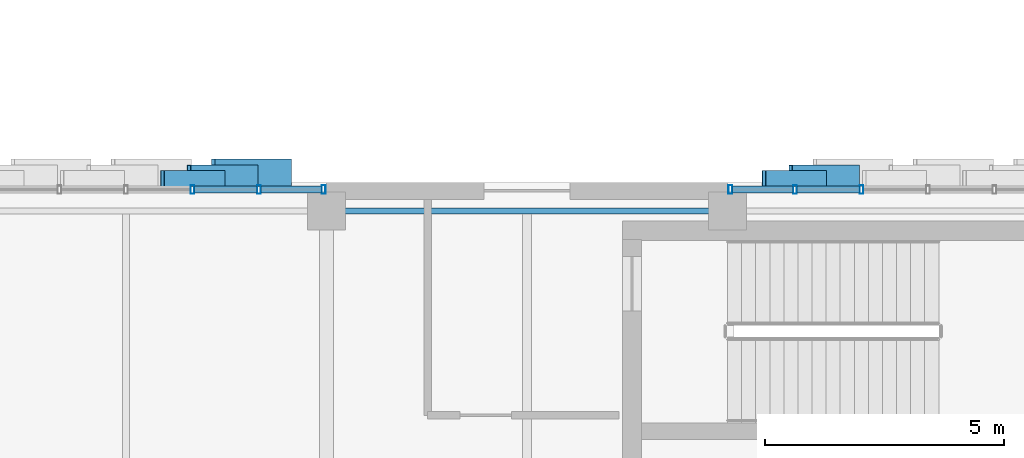
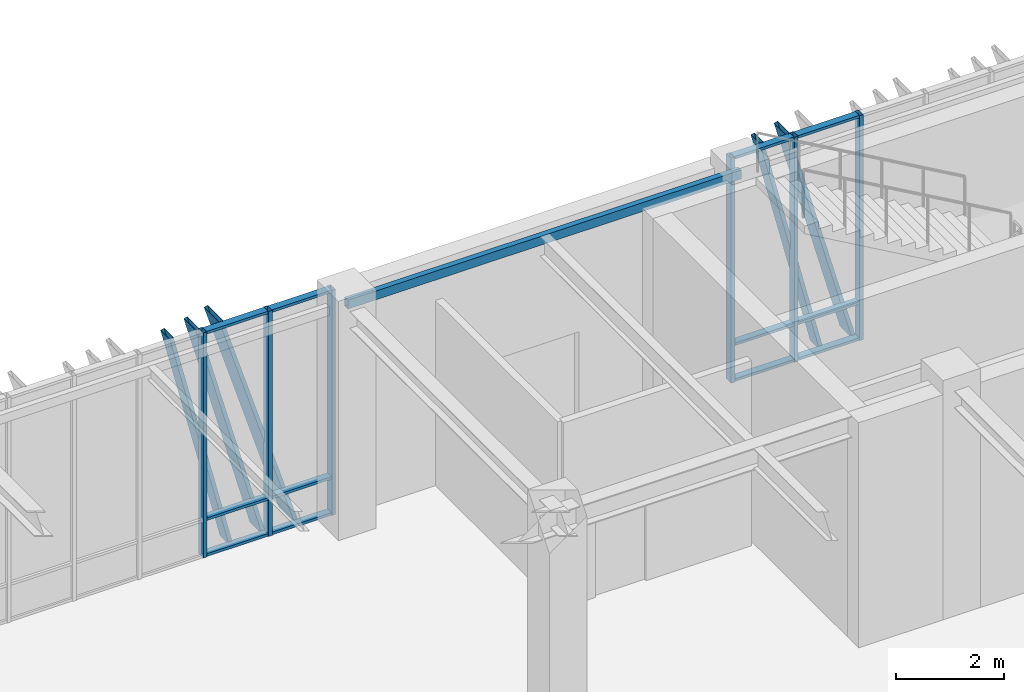
# One storey, part 64 of 122: 23 members, 1 beam, 2 elements without a shape of their own.
"""IFC4 building model written with IfcOpenShell, lengths in metres."""

from ifc_helpers import new_model, si_unit, direction, frame, origin, origin_2d, place, context, subcontext, project, spatial, hollow_rectangle, extrude, material, layer, layer_set, material_profile, profile_set, type_object, element, aggregate, save


model = new_model("IFC4")

# Units and contexts
model_context = context("Model", 3, precision=1e-05, world=origin(), true_north=direction((0.0, 1.0)))
body_context = subcontext(model_context, "Body", "Model", "MODEL_VIEW")
ifc_project = project(units=[si_unit("LENGTHUNIT", "METRE"), si_unit("AREAUNIT", "SQUARE_METRE"), si_unit("VOLUMEUNIT", "CUBIC_METRE"), si_unit("PLANEANGLEUNIT", "RADIAN"), si_unit("MASSUNIT", "GRAM", prefix="KILO")], contexts=[model_context])

# Site, building, storey
site_placement = place(None, origin())
site = spatial("IfcSite", under=ifc_project, at=site_placement, CompositionType="ELEMENT")
building_placement = place(site_placement, origin())
building = spatial("IfcBuilding", under=site, at=building_placement, Name="Zayran Congress Hotel", CompositionType="ELEMENT")
storey_placement = place(building_placement, origin())
storey = spatial("IfcBuildingStorey", under=building, at=storey_placement, Name="L00", CompositionType="ELEMENT", Elevation=0.0)

# Beam
ifc_material_1 = material(Name="Steel S355", Category="steel")
ifc_material_profile_1 = material_profile(ifc_material_1, hollow_rectangle(XDim=0.1201171875, YDim=0.199951171875, WallThickness=0.008056640625, at=origin_2d()), Name="RHS 200x120x8")
ifc_profile_set_1 = profile_set([ifc_material_profile_1], Name="Steel S355")
beam_type = type_object("IfcBeamType", Name="TP-SP-02", PredefinedType="SPANDREL", material=ifc_profile_set_1)
beam_placement = place(storey_placement, frame((75.60009765625, 117.39990234375, 4.97998046875), z_axis=(1.0, 0.0, 0.0), x_axis=(0.0, 1.0, 0.0)))
element("IfcBeam", 1, at=beam_placement, inside=storey, type_object=beam_type, Name="BM-V1-L00-0443", PredefinedType="SPANDREL", context=body_context, shape_type="SweptSolid", body=[
    extrude(hollow_rectangle(XDim=0.1201171875, YDim=0.199951171875, WallThickness=0.008056640625, at=origin_2d()), origin(), (0.0, 0.0, 1.0), 8.39990234375),
])

# Curtain wall, members
ifc_material_2 = material(Name="Anodised aluminium and low-E insulated glass", Category="aluminium")
ifc_layer_1 = layer(ifc_material_2, 0.179931640625)
ifc_layer_set_1 = layer_set([ifc_layer_1], Name="Anodised aluminium and low-E insulated glass")
curtain_wall_type_1 = type_object("IfcCurtainWallType", Name="CW-V1N-L00-CW-22-8360-5080", PredefinedType="USERDEFINED", material=ifc_layer_set_1)
curtain_wall_1_placement = place(storey_placement, origin())
curtain_wall_1 = element("IfcCurtainWall", 2, at=curtain_wall_1_placement, inside=storey, type_object=curtain_wall_type_1, Name="CW-V1N-L00-7", ObjectType="CURTAIN WALL", PredefinedType="USERDEFINED")
ifc_material_3 = material(Name="Anodised aluminium framing", Category="aluminium")
ifc_material_profile_2 = material_profile(ifc_material_3, hollow_rectangle(XDim=0.080078125, YDim=0.179931640625, WallThickness=0.0048828125, at=origin_2d()), Name="RHS 180x80x5")
ifc_profile_set_2 = profile_set([ifc_material_profile_2], Name="Anodised aluminium framing")
member_type_1 = type_object("IfcMemberType", Name="TP-CWM-01", PredefinedType="MULLION", material=ifc_profile_set_2)
member_1_placement = place(storey_placement, frame((75.5400390625, 117.85009765625, 0.0), z_axis=(0.0, 0.0, 1.0), x_axis=(1.0, 0.0, 0.0)))
member_1 = element("IfcMember", 3, at=member_1_placement, type_object=member_type_1, Name="CW-V1N-L00-7-M00", PredefinedType="MULLION", context=body_context, shape_type="SweptSolid", body=[
    extrude(hollow_rectangle(XDim=0.080078125, YDim=0.179931640625, WallThickness=0.0048828125, at=origin_2d()), origin(), (0.0, 0.0, 1.0), 5.080078125),
])
member_2_placement = place(storey_placement, frame((74.186767578125, 117.85009765625, 0.0), z_axis=(0.0, 0.0, 1.0), x_axis=(1.0, 0.0, 0.0)))
member_2 = element("IfcMember", 4, at=member_2_placement, type_object=member_type_1, Name="CW-V1N-L00-7-M01", PredefinedType="MULLION", context=body_context, shape_type="SweptSolid", body=[
    extrude(hollow_rectangle(XDim=0.080078125, YDim=0.179931640625, WallThickness=0.0048828125, at=origin_2d()), origin(), (0.0, 0.0, 1.0), 5.080078125),
])
member_3_placement = place(storey_placement, frame((72.793212890625, 117.85009765625, 0.0), z_axis=(0.0, 0.0, 1.0), x_axis=(1.0, 0.0, 0.0)))
member_3 = element("IfcMember", 5, at=member_3_placement, type_object=member_type_1, Name="CW-V1N-L00-7-M02", PredefinedType="MULLION", context=body_context, shape_type="SweptSolid", body=[
    extrude(hollow_rectangle(XDim=0.080078125, YDim=0.179931640625, WallThickness=0.0048828125, at=origin_2d()), origin(), (0.0, 0.0, 1.0), 5.080078125),
])

ifc_layer_2 = layer(ifc_material_2, 0.179931640625)
ifc_layer_set_2 = layer_set([ifc_layer_2], Name="Anodised aluminium and low-E insulated glass")
curtain_wall_type_2 = type_object("IfcCurtainWallType", Name="CW-V1N-L00-CW-21-8360-5080", PredefinedType="USERDEFINED", material=ifc_layer_set_2)
curtain_wall_2_placement = place(storey_placement, origin())
curtain_wall_2 = element("IfcCurtainWall", 6, at=curtain_wall_2_placement, inside=storey, type_object=curtain_wall_type_2, Name="CW-V1N-L00-9", ObjectType="CURTAIN WALL", PredefinedType="USERDEFINED")
member_4_placement = place(storey_placement, frame((86.806640625, 117.85009765625, 0.0), z_axis=(0.0, 0.0, 1.0), x_axis=(1.0, 0.0, 0.0)))
member_4 = element("IfcMember", 7, at=member_4_placement, type_object=member_type_1, Name="CW-V1N-L00-9-M04", PredefinedType="MULLION", context=body_context, shape_type="SweptSolid", body=[
    extrude(hollow_rectangle(XDim=0.080078125, YDim=0.179931640625, WallThickness=0.0048828125, at=origin_2d()), origin(), (0.0, 0.0, 1.0), 5.080078125),
])
member_5_placement = place(storey_placement, frame((85.413330078125, 117.85009765625, 0.0), z_axis=(0.0, 0.0, 1.0), x_axis=(1.0, 0.0, 0.0)))
member_5 = element("IfcMember", 8, at=member_5_placement, type_object=member_type_1, Name="CW-V1N-L00-9-M05", PredefinedType="MULLION", context=body_context, shape_type="SweptSolid", body=[
    extrude(hollow_rectangle(XDim=0.080078125, YDim=0.179931640625, WallThickness=0.0048828125, at=origin_2d()), origin(), (0.0, 0.0, 1.0), 5.080078125),
])
member_6_placement = place(storey_placement, frame((84.06005859375, 117.85009765625, 0.0), z_axis=(0.0, 0.0, 1.0), x_axis=(1.0, 0.0, 0.0)))
member_6 = element("IfcMember", 9, at=member_6_placement, type_object=member_type_1, Name="CW-V1N-L00-9-M06", PredefinedType="MULLION", context=body_context, shape_type="SweptSolid", body=[
    extrude(hollow_rectangle(XDim=0.080078125, YDim=0.179931640625, WallThickness=0.0048828125, at=origin_2d()), origin(), (0.0, 0.0, 1.0), 5.080078125),
])

# Member
ifc_material_profile_3 = material_profile(ifc_material_3, hollow_rectangle(XDim=0.06005859375, YDim=0.14990234375, WallThickness=0.00390625, at=origin_2d()), Name="RHS 150x60x4")
ifc_profile_set_3 = profile_set([ifc_material_profile_3], Name="Anodised aluminium framing")
member_type_2 = type_object("IfcMemberType", Name="TP-CWT-01", PredefinedType="USERDEFINED", material=ifc_profile_set_3)
member_7_placement = place(storey_placement, frame((75.5, 117.85009765625, 0.030029296875), z_axis=(-1.0, 0.0, 0.0), x_axis=(0.0, 0.0, 1.0)))
member_7 = element("IfcMember", 10, at=member_7_placement, type_object=member_type_2, Name="CW-V1N-L00-7-T00-0", ObjectType="TRANSOM", PredefinedType="USERDEFINED", context=body_context, shape_type="SweptSolid", body=[
    extrude(hollow_rectangle(XDim=0.06005859375, YDim=0.14990234375, WallThickness=0.00390625, at=origin_2d()), origin(), (0.0, 0.0, 1.0), 1.273193359375),
])

member_8_placement = place(storey_placement, frame((75.5, 117.85009765625, 0.840087890625), z_axis=(-1.0, 0.0, 0.0), x_axis=(0.0, 0.0, 1.0)))
member_8 = element("IfcMember", 11, at=member_8_placement, type_object=member_type_2, Name="CW-V1N-L00-7-T00-1", ObjectType="TRANSOM", PredefinedType="USERDEFINED", context=body_context, shape_type="SweptSolid", body=[
    extrude(hollow_rectangle(XDim=0.06005859375, YDim=0.14990234375, WallThickness=0.00390625, at=origin_2d()), origin(), (0.0, 0.0, 1.0), 1.273193359375),
])

member_9_placement = place(storey_placement, frame((75.5, 117.85009765625, 5.050048828125), z_axis=(-1.0, 0.0, 0.0), x_axis=(0.0, 0.0, 1.0)))
member_9 = element("IfcMember", 12, at=member_9_placement, type_object=member_type_2, Name="CW-V1N-L00-7-T00-2", ObjectType="TRANSOM", PredefinedType="USERDEFINED", context=body_context, shape_type="SweptSolid", body=[
    extrude(hollow_rectangle(XDim=0.06005859375, YDim=0.14990234375, WallThickness=0.00390625, at=origin_2d()), origin(), (0.0, 0.0, 1.0), 1.273193359375),
])

member_10_placement = place(storey_placement, frame((74.146728515625, 117.85009765625, 0.030029296875), z_axis=(-1.0, 0.0, 0.0), x_axis=(0.0, 0.0, 1.0)))
member_10 = element("IfcMember", 13, at=member_10_placement, type_object=member_type_2, Name="CW-V1N-L00-7-T01-0", ObjectType="TRANSOM", PredefinedType="USERDEFINED", context=body_context, shape_type="SweptSolid", body=[
    extrude(hollow_rectangle(XDim=0.06005859375, YDim=0.14990234375, WallThickness=0.00390625, at=origin_2d()), origin(), (0.0, 0.0, 1.0), 1.3134765625),
])

member_11_placement = place(storey_placement, frame((74.146728515625, 117.85009765625, 0.840087890625), z_axis=(-1.0, 0.0, 0.0), x_axis=(0.0, 0.0, 1.0)))
member_11 = element("IfcMember", 14, at=member_11_placement, type_object=member_type_2, Name="CW-V1N-L00-7-T01-1", ObjectType="TRANSOM", PredefinedType="USERDEFINED", context=body_context, shape_type="SweptSolid", body=[
    extrude(hollow_rectangle(XDim=0.06005859375, YDim=0.14990234375, WallThickness=0.00390625, at=origin_2d()), origin(), (0.0, 0.0, 1.0), 1.3134765625),
])

member_12_placement = place(storey_placement, frame((74.146728515625, 117.85009765625, 5.050048828125), z_axis=(-1.0, 0.0, 0.0), x_axis=(0.0, 0.0, 1.0)))
member_12 = element("IfcMember", 15, at=member_12_placement, type_object=member_type_2, Name="CW-V1N-L00-7-T01-2", ObjectType="TRANSOM", PredefinedType="USERDEFINED", context=body_context, shape_type="SweptSolid", body=[
    extrude(hollow_rectangle(XDim=0.06005859375, YDim=0.14990234375, WallThickness=0.00390625, at=origin_2d()), origin(), (0.0, 0.0, 1.0), 1.3134765625),
])

member_13_placement = place(storey_placement, frame((86.7666015625, 117.85009765625, 0.030029296875), z_axis=(-1.0, 0.0, 0.0), x_axis=(0.0, 0.0, 1.0)))
member_13 = element("IfcMember", 16, at=member_13_placement, type_object=member_type_2, Name="CW-V1N-L00-9-T04-0", ObjectType="TRANSOM", PredefinedType="USERDEFINED", context=body_context, shape_type="SweptSolid", body=[
    extrude(hollow_rectangle(XDim=0.06005859375, YDim=0.14990234375, WallThickness=0.00390625, at=origin_2d()), origin(), (0.0, 0.0, 1.0), 1.313232421875),
])

member_14_placement = place(storey_placement, frame((86.7666015625, 117.85009765625, 0.840087890625), z_axis=(-1.0, 0.0, 0.0), x_axis=(0.0, 0.0, 1.0)))
member_14 = element("IfcMember", 17, at=member_14_placement, type_object=member_type_2, Name="CW-V1N-L00-9-T04-1", ObjectType="TRANSOM", PredefinedType="USERDEFINED", context=body_context, shape_type="SweptSolid", body=[
    extrude(hollow_rectangle(XDim=0.06005859375, YDim=0.14990234375, WallThickness=0.00390625, at=origin_2d()), origin(), (0.0, 0.0, 1.0), 1.313232421875),
])

member_15_placement = place(storey_placement, frame((86.7666015625, 117.85009765625, 5.050048828125), z_axis=(-1.0, 0.0, 0.0), x_axis=(0.0, 0.0, 1.0)))
member_15 = element("IfcMember", 18, at=member_15_placement, type_object=member_type_2, Name="CW-V1N-L00-9-T04-2", ObjectType="TRANSOM", PredefinedType="USERDEFINED", context=body_context, shape_type="SweptSolid", body=[
    extrude(hollow_rectangle(XDim=0.06005859375, YDim=0.14990234375, WallThickness=0.00390625, at=origin_2d()), origin(), (0.0, 0.0, 1.0), 1.313232421875),
])

member_16_placement = place(storey_placement, frame((85.373291015625, 117.85009765625, 0.030029296875), z_axis=(-1.0, 0.0, 0.0), x_axis=(0.0, 0.0, 1.0)))
member_16 = element("IfcMember", 19, at=member_16_placement, type_object=member_type_2, Name="CW-V1N-L00-9-T05-0", ObjectType="TRANSOM", PredefinedType="USERDEFINED", context=body_context, shape_type="SweptSolid", body=[
    extrude(hollow_rectangle(XDim=0.06005859375, YDim=0.14990234375, WallThickness=0.00390625, at=origin_2d()), origin(), (0.0, 0.0, 1.0), 1.273193359375),
])

member_17_placement = place(storey_placement, frame((85.373291015625, 117.85009765625, 0.840087890625), z_axis=(-1.0, 0.0, 0.0), x_axis=(0.0, 0.0, 1.0)))
member_17 = element("IfcMember", 20, at=member_17_placement, type_object=member_type_2, Name="CW-V1N-L00-9-T05-1", ObjectType="TRANSOM", PredefinedType="USERDEFINED", context=body_context, shape_type="SweptSolid", body=[
    extrude(hollow_rectangle(XDim=0.06005859375, YDim=0.14990234375, WallThickness=0.00390625, at=origin_2d()), origin(), (0.0, 0.0, 1.0), 1.273193359375),
])

member_18_placement = place(storey_placement, frame((85.373291015625, 117.85009765625, 5.050048828125), z_axis=(-1.0, 0.0, 0.0), x_axis=(0.0, 0.0, 1.0)))
member_18 = element("IfcMember", 21, at=member_18_placement, type_object=member_type_2, Name="CW-V1N-L00-9-T05-2", ObjectType="TRANSOM", PredefinedType="USERDEFINED", context=body_context, shape_type="SweptSolid", body=[
    extrude(hollow_rectangle(XDim=0.06005859375, YDim=0.14990234375, WallThickness=0.00390625, at=origin_2d()), origin(), (0.0, 0.0, 1.0), 1.273193359375),
])

ifc_material_4 = material(Name="Warm bronze anodised aluminium", Category="aluminium")
ifc_material_profile_4 = material_profile(ifc_material_4, hollow_rectangle(XDim=0.080078125, YDim=0.580078125, WallThickness=0.006103515625, at=origin_2d()), Name="RHS 580x80x6")
ifc_profile_set_4 = profile_set([ifc_material_profile_4], Name="Warm bronze anodised aluminium")
member_type_3 = type_object("IfcMemberType", Name="TP-RFN-01", PredefinedType="MULLION", material=ifc_profile_set_4)
member_19_placement = place(storey_placement, frame((74.830078125, 118.199951171875, 0.0), z_axis=(-0.300716755525, 0.0, 0.953713496259), x_axis=(0.953713496259, 0.0, 0.300716755525)))
member_19 = element("IfcMember", 22, at=member_19_placement, type_object=member_type_3, Name="Slanting Reed Mullion CW-22-01", PredefinedType="MULLION", context=body_context, shape_type="SweptSolid", body=[
    extrude(hollow_rectangle(XDim=0.080078125, YDim=0.580078125, WallThickness=0.006103515625, at=origin_2d()), origin(), (0.0, 0.0, 1.0), 5.32666015625),
])

ifc_material_profile_5 = material_profile(ifc_material_4, hollow_rectangle(XDim=0.080078125, YDim=0.449951171875, WallThickness=0.006103515625, at=origin_2d()), Name="RHS 450x80x6")
ifc_profile_set_5 = profile_set([ifc_material_profile_5], Name="Warm bronze anodised aluminium")
member_type_4 = type_object("IfcMemberType", Name="TP-RFN-02", PredefinedType="MULLION", material=ifc_profile_set_5)
member_20_placement = place(storey_placement, frame((74.1298828125, 118.135009765625, 0.0), z_axis=(-0.267213902124, 0.0, 0.963637240102), x_axis=(0.963637240102, 0.0, 0.267213902124)))
member_20 = element("IfcMember", 23, at=member_20_placement, type_object=member_type_4, Name="Slanting Reed Mullion CW-22-02", PredefinedType="MULLION", context=body_context, shape_type="SweptSolid", body=[
    extrude(hollow_rectangle(XDim=0.080078125, YDim=0.449951171875, WallThickness=0.006103515625, at=origin_2d()), origin(), (0.0, 0.0, 1.0), 5.271728515625),
])

member_21_placement = place(storey_placement, frame((86.72998046875, 118.135009765625, 0.0), z_axis=(-0.267213902124, 0.0, 0.963637240102), x_axis=(0.963637240102, 0.0, 0.267213902124)))
member_21 = element("IfcMember", 24, at=member_21_placement, type_object=member_type_4, Name="Slanting Reed Mullion CW-21-08", PredefinedType="MULLION", context=body_context, shape_type="SweptSolid", body=[
    extrude(hollow_rectangle(XDim=0.080078125, YDim=0.449951171875, WallThickness=0.006103515625, at=origin_2d()), origin(), (0.0, 0.0, 1.0), 5.271728515625),
])

ifc_material_profile_6 = material_profile(ifc_material_4, hollow_rectangle(XDim=0.080078125, YDim=0.340087890625, WallThickness=0.006103515625, at=origin_2d()), Name="RHS 340x80x6")
ifc_profile_set_6 = profile_set([ifc_material_profile_6], Name="Warm bronze anodised aluminium")
member_type_5 = type_object("IfcMemberType", Name="TP-RFN-03", PredefinedType="MULLION", material=ifc_profile_set_6)
member_22_placement = place(storey_placement, frame((73.429931640625, 118.080078125, 0.0), z_axis=(-0.241921145618, 0.0, 0.970295913267), x_axis=(0.970295913267, 0.0, 0.241921145618)))
member_22 = element("IfcMember", 25, at=member_22_placement, type_object=member_type_5, Name="Slanting Reed Mullion CW-22-03", PredefinedType="MULLION", context=body_context, shape_type="SweptSolid", body=[
    extrude(hollow_rectangle(XDim=0.080078125, YDim=0.340087890625, WallThickness=0.006103515625, at=origin_2d()), origin(), (0.0, 0.0, 1.0), 5.235595703125),
])

aggregate(curtain_wall_1, [member_1, member_2, member_3, member_7, member_8, member_9, member_10, member_11, member_12, member_19, member_20, member_22])

member_23_placement = place(storey_placement, frame((86.030029296875, 118.080078125, 0.0), z_axis=(-0.241921145618, 0.0, 0.970295913267), x_axis=(0.970295913267, 0.0, 0.241921145618)))
member_23 = element("IfcMember", 26, at=member_23_placement, type_object=member_type_5, Name="Slanting Reed Mullion CW-21-09", PredefinedType="MULLION", context=body_context, shape_type="SweptSolid", body=[
    extrude(hollow_rectangle(XDim=0.080078125, YDim=0.340087890625, WallThickness=0.006103515625, at=origin_2d()), origin(), (0.0, 0.0, 1.0), 5.235595703125),
])

aggregate(curtain_wall_2, [member_4, member_5, member_6, member_13, member_14, member_15, member_16, member_17, member_18, member_21, member_23])

save(model, "model.ifc")
